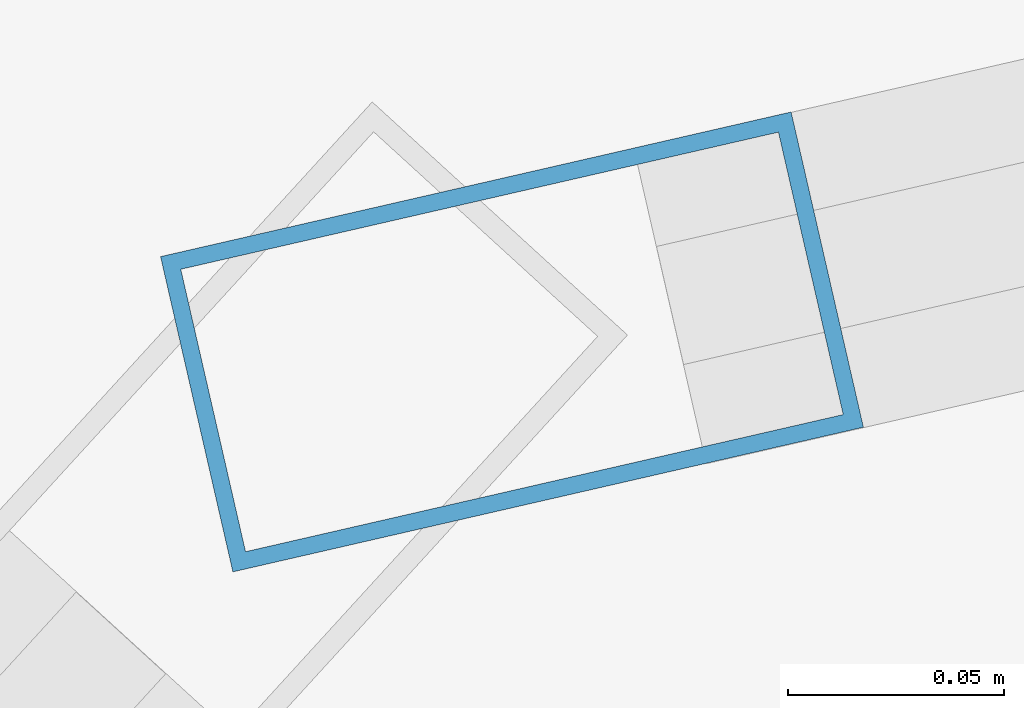
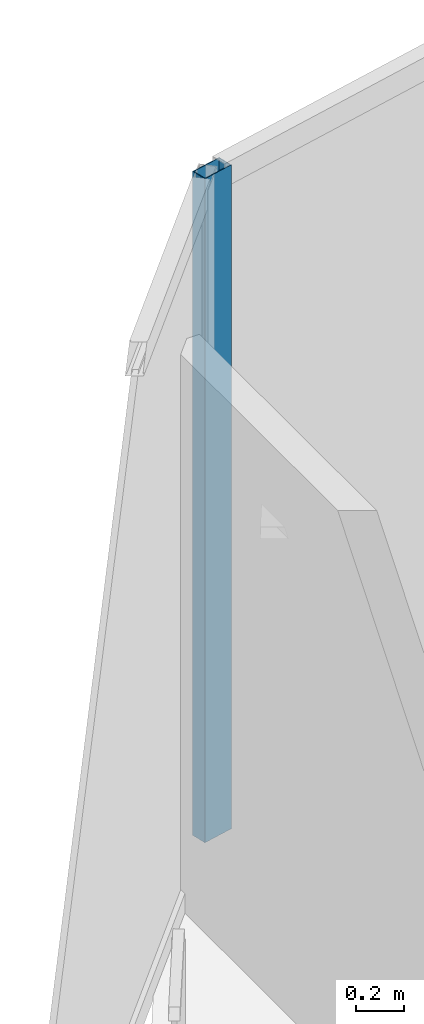
# One storey, part 19 of 34: 1 member, 1 element without a shape of its own.
"""IFC4 building model written with IfcOpenShell, lengths in metres."""

from ifc_helpers import new_model, si_unit, direction, frame, origin, origin_2d, place, context, subcontext, project, spatial, hollow_rectangle, extrude, material, layer, layer_set, material_profile, profile_set, type_object, element, aggregate, save


model = new_model("IFC4")

# Units and contexts
model_context = context("Model", 3, precision=1e-05, world=origin(), true_north=direction((0.0, 1.0)))
body_context = subcontext(model_context, "Body", "Model", "MODEL_VIEW")
ifc_project = project(units=[si_unit("LENGTHUNIT", "METRE"), si_unit("AREAUNIT", "SQUARE_METRE"), si_unit("VOLUMEUNIT", "CUBIC_METRE"), si_unit("PLANEANGLEUNIT", "RADIAN"), si_unit("MASSUNIT", "GRAM", prefix="KILO")], contexts=[model_context])

# Site, building, storey
site_placement = place(None, origin())
site = spatial("IfcSite", under=ifc_project, at=site_placement, CompositionType="ELEMENT")
building_placement = place(site_placement, origin())
building = spatial("IfcBuilding", under=site, at=building_placement, Name="Kazevale Care Tower and Concert Hall", CompositionType="ELEMENT")
storey_placement = place(building_placement, frame((0.0, 0.0, 160.199951171875)))
storey = spatial("IfcBuildingStorey", under=building, at=storey_placement, Name="L42", CompositionType="ELEMENT", Elevation=160.199951171875)

# Curtain wall, member
ifc_material_1 = material(Name="Aluminium 6063-T6 and Low-E Glass", Category="aluminium")
ifc_layer = layer(ifc_material_1, 0.179931640625)
ifc_layer_set = layer_set([ifc_layer], Name="Aluminium 6063-T6 and Low-E Glass")
curtain_wall_type = type_object("IfcCurtainWallType", Name="Convex Recessed Sunroom Curtain Wall CW-3", PredefinedType="NOTDEFINED", material=ifc_layer_set)
curtain_wall_placement = place(storey_placement, origin())
curtain_wall = element("IfcCurtainWall", 1, at=curtain_wall_placement, inside=storey, type_object=curtain_wall_type, Name="cw:L42:f15", PredefinedType="NOTDEFINED")
ifc_material_2 = material(Name="Aluminium 6063-T6", Category="aluminium")
ifc_material_profile = material_profile(ifc_material_2, hollow_rectangle(XDim=0.074951171875, YDim=0.14990234375, WallThickness=0.00390625, at=origin_2d()), Name="ALU75x150x4")
ifc_profile_set = profile_set([ifc_material_profile], Name="Aluminium 6063-T6")
member_type = type_object("IfcMemberType", Name="CW-3 Mullion ALU75x150x4", PredefinedType="MULLION", material=ifc_profile_set)
member_placement = place(storey_placement, frame((25.820556640625, 62.37841796875, 0.0), z_axis=(0.0, 0.0, 1.0), x_axis=(-0.223567329284, 0.974688488327, 0.0)))
member = element("IfcMember", 2, at=member_placement, type_object=member_type, Name="CW-3 mullion 1", PredefinedType="MULLION", context=body_context, shape_type="SweptSolid", body=[
    extrude(hollow_rectangle(XDim=0.074951171875, YDim=0.14990234375, WallThickness=0.00390625, at=origin_2d()), origin(), (0.0, 0.0, 1.0), 3.360107421875),
])
aggregate(curtain_wall, [member])

save(model, "model.ifc")
